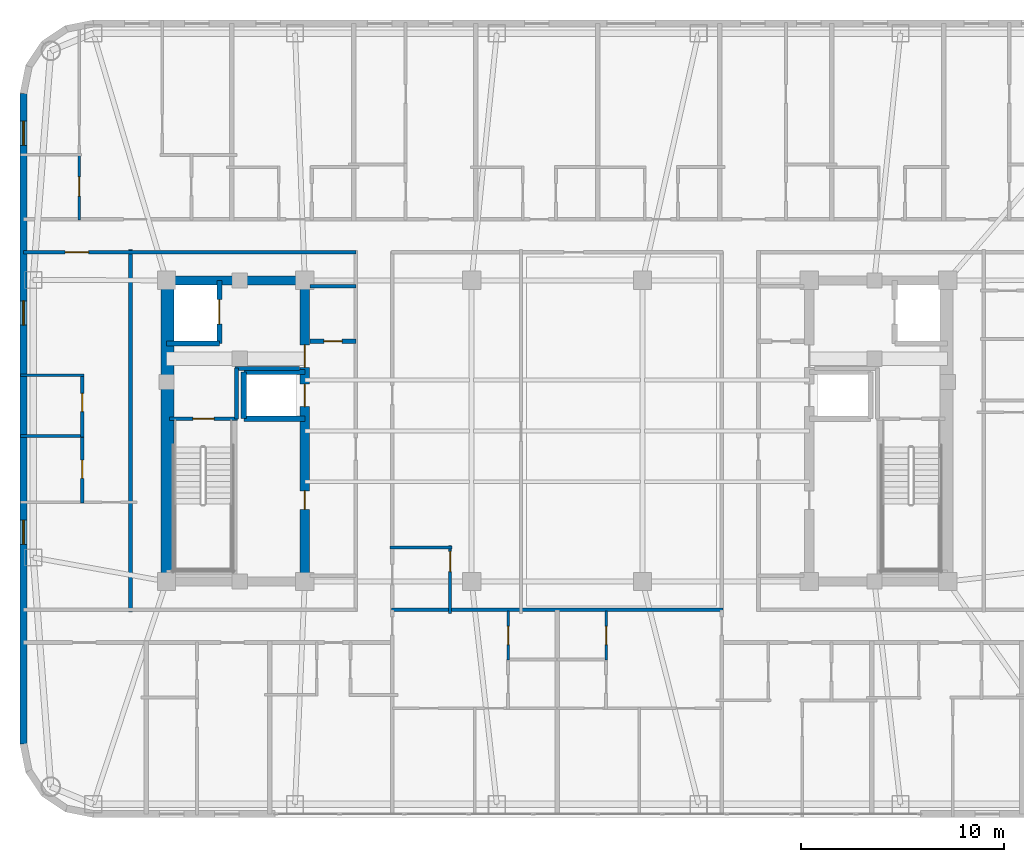
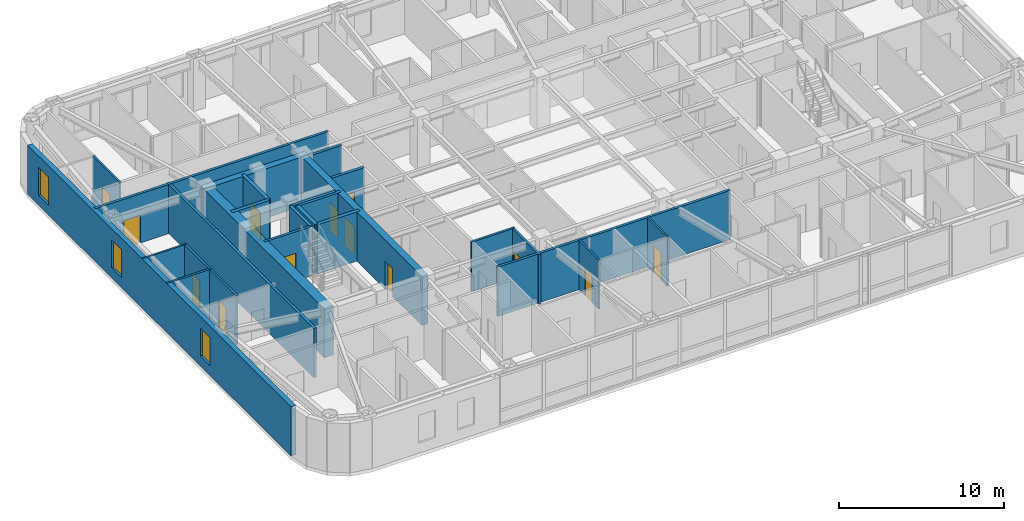
# One storey, part 9 of 16: 26 walls, 13 doors, 3 windows, 16 openings.
"""IFC4 building model written with IfcOpenShell, lengths in metres."""

from ifc_helpers import new_model, si_unit, direction, frame, frame_2d, origin, place, context, subcontext, project, spatial, rectangle, extrude, material, layer, layer_set, type_object, element, fill, save


model = new_model("IFC4")

# Units and contexts
model_context = context("Model", 3, precision=1e-05, world=origin(), true_north=direction((0.0, 1.0)))
body_context = subcontext(model_context, "Body", "Model", "MODEL_VIEW")
ifc_project = project(units=[si_unit("LENGTHUNIT", "METRE"), si_unit("AREAUNIT", "SQUARE_METRE"), si_unit("VOLUMEUNIT", "CUBIC_METRE"), si_unit("PLANEANGLEUNIT", "RADIAN"), si_unit("MASSUNIT", "GRAM", prefix="KILO")], contexts=[model_context])

# Site, building, storey
site_placement = place(None, origin())
site = spatial("IfcSite", under=ifc_project, at=site_placement, CompositionType="ELEMENT")
building_placement = place(site_placement, origin())
building = spatial("IfcBuilding", under=site, at=building_placement, Name="Voryun Gate Residences", CompositionType="ELEMENT")
storey_placement = place(building_placement, frame((0.0, 0.0, 208.0)))
storey = spatial("IfcBuildingStorey", under=building, at=storey_placement, Name="L51", CompositionType="ELEMENT", Elevation=208.0)

# Wall
ifc_material_1 = material(Name="Concrete C50/60", Category="concrete")
ifc_layer_1 = layer(ifc_material_1, 0.449951171875, Name="CW_CORE_450")
ifc_layer_set_1 = layer_set([ifc_layer_1], Name="Concrete C50/60")
wall_type_1 = type_object("IfcWallType", Name="CW_CORE_450", PredefinedType="SHEAR", material=ifc_layer_set_1)
wall_1_placement = place(storey_placement, frame((-19.425048828125, 7.39990234375, 0.0), z_axis=(0.0, 0.0, 1.0), x_axis=(1.0, 0.0, 0.0)))
element("IfcWall", 1, at=wall_1_placement, inside=storey, type_object=wall_type_1, Name="L51 Core shear wall CW-L51-WN", PredefinedType="SHEAR", context=body_context, shape_type="SweptSolid", body=[
    extrude(rectangle(XDim=7.25, YDim=0.449951171875, at=frame_2d((3.625, 0.0))), origin(), (0.0, 0.0, 1.0), 3.64990234375),
])

# Wall, openings, doors
wall_2_placement = place(storey_placement, frame((-12.39990234375, -7.39990234375, 0.0), z_axis=(0.0, 0.0, 1.0), x_axis=(0.0, 1.0, 0.0)))
wall_2 = element("IfcWall", 2, at=wall_2_placement, inside=storey, type_object=wall_type_1, Name="L51 Core shear wall CW-L51-WE", PredefinedType="SHEAR", context=body_context, shape_type="SweptSolid", body=[
    extrude(rectangle(XDim=14.7998046875, YDim=0.449951171875, at=frame_2d((7.39990234375, 0.0))), origin(), (0.0, 0.0, 1.0), 3.64990234375),
])
opening_1_placement = place(wall_2_placement, frame((8.60009765625, 0.0, 0.0)))
opening_1 = element("IfcOpeningElement", 3, at=opening_1_placement, cuts=wall_2, Name="Opening LD2", PredefinedType="OPENING", context=body_context, shape_type="SweptSolid", body=[
    extrude(rectangle(XDim=1.10009765625, YDim=2.050048828125, at=frame_2d((0.550048828125, 1.02490234375))), frame((0.0, 0.235107421875, 0.0), z_axis=(0.0, -1.0, 0.0), x_axis=(1.0, 0.0, 0.0)), (0.0, 0.0, 1.0), 0.469970703125),
])
opening_2_placement = place(wall_2_placement, frame((10.530029296875, 0.0, 0.0)))
opening_2 = element("IfcOpeningElement", 4, at=opening_2_placement, cuts=wall_2, Name="Opening D-FD60-2", PredefinedType="OPENING", context=body_context, shape_type="SweptSolid", body=[
    extrude(rectangle(XDim=1.10009765625, YDim=2.050048828125, at=frame_2d((0.550048828125, 1.02490234375))), frame((0.0, 0.235107421875, 0.0), z_axis=(0.0, -1.0, 0.0), x_axis=(1.0, 0.0, 0.0)), (0.0, 0.0, 1.0), 0.469970703125),
])
opening_3_placement = place(wall_2_placement, frame((3.550048828125, 0.0, 0.0)))
opening_3 = element("IfcOpeningElement", 5, at=opening_3_placement, cuts=wall_2, Name="Opening D-FD60-4", PredefinedType="OPENING", context=body_context, shape_type="SweptSolid", body=[
    extrude(rectangle(XDim=0.89990234375, YDim=2.050048828125, at=frame_2d((0.449951171875, 1.02490234375))), frame((0.0, 0.235107421875, 0.0), z_axis=(0.0, -1.0, 0.0), x_axis=(1.0, 0.0, 0.0)), (0.0, 0.0, 1.0), 0.469970703125),
])
ifc_material_2 = material(Name="Painted steel fire door", Category="steel")
door_type_1 = type_object("IfcDoorType", Name="DR_FD60_FFLOB_1100", OperationType="NOTDEFINED", PredefinedType="DOOR", material=ifc_material_2)
door_1_placement = place(opening_2_placement, origin())
door_1 = element("IfcDoor", 6, at=door_1_placement, inside=storey, type_object=door_type_1, Name="Door DR-L51-CLOB-W", OperationType="SINGLE_SWING_LEFT", OverallHeight=2.050048828125, OverallWidth=1.10009765625, PredefinedType="DOOR", context=body_context, shape_type="SweptSolid", body=[
    extrude(rectangle(XDim=1.10009765625, YDim=2.050048828125, at=frame_2d((0.550048828125, 1.02490234375))), frame((0.0, 0.02490234375, 0.0), z_axis=(0.0, -1.0, 0.0), x_axis=(1.0, 0.0, 0.0)), (0.0, 0.0, 1.0), 0.050048828125),
])
fill(opening_2, door_1)
ifc_material_3 = material(Name="Painted steel fire door", Category="steel")
door_type_2 = type_object("IfcDoorType", Name="DR_FD60_RISER_900", OperationType="NOTDEFINED", PredefinedType="DOOR", material=ifc_material_3)
door_2_placement = place(opening_3_placement, origin())
door_2 = element("IfcDoor", 7, at=door_2_placement, inside=storey, type_object=door_type_2, Name="Door DR-L51-RECW-HI", OperationType="SINGLE_SWING_LEFT", OverallHeight=2.050048828125, OverallWidth=0.89990234375, PredefinedType="DOOR", context=body_context, shape_type="SweptSolid", body=[
    extrude(rectangle(XDim=0.89990234375, YDim=2.050048828125, at=frame_2d((0.449951171875, 1.02490234375))), frame((0.0, 0.02490234375, 0.0), z_axis=(0.0, -1.0, 0.0), x_axis=(1.0, 0.0, 0.0)), (0.0, 0.0, 1.0), 0.050048828125),
])
fill(opening_3, door_2)
ifc_material_4 = material(Name="Anodised aluminium", Category="aluminium")
door_type_3 = type_object("IfcDoorType", Name="DR_LD_PASS_1100", OperationType="NOTDEFINED", PredefinedType="DOOR", material=ifc_material_4)
door_3_placement = place(opening_1_placement, origin())
door_3 = element("IfcDoor", 8, at=door_3_placement, inside=storey, type_object=door_type_3, Name="Lift EL-P7 sliding landing door L51", OperationType="SLIDING_TO_LEFT", OverallHeight=2.050048828125, OverallWidth=1.10009765625, PredefinedType="DOOR", context=body_context, shape_type="SweptSolid", body=[
    extrude(rectangle(XDim=1.10009765625, YDim=2.050048828125, at=frame_2d((0.550048828125, 1.02490234375))), frame((0.0, 0.02490234375, 0.0), z_axis=(0.0, -1.0, 0.0), x_axis=(1.0, 0.0, 0.0)), (0.0, 0.0, 1.0), 0.050048828125),
])
fill(opening_1, door_3)

# Wall
ifc_material_5 = material(Name="Concrete C60/75", Category="concrete")
ifc_layer_2 = layer(ifc_material_5, 0.64990234375, Name="CW_CORE_650")
ifc_layer_set_2 = layer_set([ifc_layer_2], Name="Concrete C60/75")
wall_type_2 = type_object("IfcWallType", Name="CW_CORE_650", PredefinedType="SHEAR", material=ifc_layer_set_2)
wall_3_placement = place(storey_placement, frame((-19.14501953125, -7.39990234375, 0.0), z_axis=(0.0, 0.0, 1.0), x_axis=(0.0, 1.0, 0.0)))
element("IfcWall", 9, at=wall_3_placement, inside=storey, type_object=wall_type_2, Name="L51 Core shear wall CW-L51-WW", PredefinedType="SHEAR", context=body_context, shape_type="SweptSolid", body=[
    extrude(rectangle(XDim=14.7998046875, YDim=0.64990234375, at=frame_2d((7.39990234375, 0.0))), origin(), (0.0, 0.0, 1.0), 3.64990234375),
])

# Wall, opening, door
ifc_material_6 = material(Name="Gypsum acoustic fireboard")
ifc_layer_3 = layer(ifc_material_6, 0.179931640625, Name="W_CORR_RATED_180")
ifc_layer_set_3 = layer_set([ifc_layer_3], Name="Gypsum acoustic fireboard")
wall_type_3 = type_object("IfcWallType", Name="W_CORR_RATED_180", PredefinedType="PARTITIONING", material=ifc_layer_set_3)
wall_4_placement = place(storey_placement, frame((-19.06005859375, 0.60009765625, 0.0), z_axis=(0.0, 0.0, 1.0), x_axis=(1.0, 0.0, 0.0)))
wall_4 = element("IfcWall", 10, at=wall_4_placement, inside=storey, type_object=wall_type_3, Name="Partition wall WP-L51-STV-W", PredefinedType="PARTITIONING", context=body_context, shape_type="SweptSolid", body=[
    extrude(rectangle(XDim=3.360107421875, YDim=0.179931640625, at=frame_2d((1.68017578125, 0.0))), origin(), (0.0, 0.0, 1.0), 3.64990234375),
])
opening_4_placement = place(wall_4_placement, frame((1.155029296875, 0.0, 0.0)))
opening_4 = element("IfcOpeningElement", 11, at=opening_4_placement, cuts=wall_4, Name="Opening D-FD60-1", PredefinedType="OPENING", context=body_context, shape_type="SweptSolid", body=[
    extrude(rectangle(XDim=1.050048828125, YDim=2.050048828125, at=frame_2d((0.52490234375, 1.02490234375))), frame((0.0, 0.099853515625, 0.0), z_axis=(0.0, -1.0, 0.0), x_axis=(1.0, 0.0, 0.0)), (0.0, 0.0, 1.0), 0.199951171875),
])
ifc_material_7 = material(Name="Painted steel fire door", Category="steel")
door_type_4 = type_object("IfcDoorType", Name="DR_FD60_STAIR_1050", OperationType="NOTDEFINED", PredefinedType="DOOR", material=ifc_material_7)
door_4_placement = place(opening_4_placement, origin())
door_4 = element("IfcDoor", 12, at=door_4_placement, inside=storey, type_object=door_type_4, Name="Door DR-L51-ST-W", OperationType="SINGLE_SWING_LEFT", OverallHeight=2.050048828125, OverallWidth=1.050048828125, PredefinedType="DOOR", context=body_context, shape_type="SweptSolid", body=[
    extrude(rectangle(XDim=1.050048828125, YDim=2.050048828125, at=frame_2d((0.52490234375, 1.02490234375))), frame((0.0, 0.02490234375, 0.0), z_axis=(0.0, -1.0, 0.0), x_axis=(1.0, 0.0, 0.0)), (0.0, 0.0, 1.0), 0.050048828125),
])
fill(opening_4, door_4)

# Wall
wall_5_placement = place(storey_placement, frame((-12.14990234375, 7.1201171875, 0.0), z_axis=(0.0, 0.0, 1.0), x_axis=(1.0, 0.0, 0.0)))
element("IfcWall", 13, at=wall_5_placement, inside=storey, type_object=wall_type_3, Name="Partition wall WP-L51-PLBN-W", PredefinedType="PARTITIONING", context=body_context, shape_type="SweptSolid", body=[
    extrude(rectangle(XDim=2.27001953125, YDim=0.179931640625, at=frame_2d((1.135009765625, 0.0))), origin(), (0.0, 0.0, 1.0), 3.64990234375),
])

# Wall, opening, door
wall_6_placement = place(storey_placement, frame((-26.22998046875, 8.7900390625, 0.0), z_axis=(0.0, 0.0, 1.0), x_axis=(1.0, 0.0, 0.0)))
wall_6 = element("IfcWall", 14, at=wall_6_placement, inside=storey, type_object=wall_type_3, Name="Partition wall WP-L51-CWING-WN", PredefinedType="PARTITIONING", context=body_context, shape_type="SweptSolid", body=[
    extrude(rectangle(XDim=16.35009765625, YDim=0.179931640625, at=frame_2d((8.175048828125, 0.0))), origin(), (0.0, 0.0, 1.0), 3.64990234375),
])
opening_5_placement = place(wall_6_placement, frame((2.05078125, 0.0, 0.0)))
opening_5 = element("IfcOpeningElement", 15, at=opening_5_placement, cuts=wall_6, Name="Opening D-UNIT-1", PredefinedType="OPENING", context=body_context, shape_type="SweptSolid", body=[
    extrude(rectangle(XDim=1.14990234375, YDim=2.050048828125, at=frame_2d((0.574951171875, 1.02490234375))), frame((0.0, 0.099853515625, 0.0), z_axis=(0.0, -1.0, 0.0), x_axis=(1.0, 0.0, 0.0)), (0.0, 0.0, 1.0), 0.199951171875),
])
ifc_material_8 = material(Name="Armoured timber-clad fire door", Category="wood")
door_type_5 = type_object("IfcDoorType", Name="DR_UNIT_ENTRY_1150", OperationType="NOTDEFINED", PredefinedType="DOOR", material=ifc_material_8)
door_5_placement = place(opening_5_placement, origin())
door_5 = element("IfcDoor", 16, at=door_5_placement, inside=storey, type_object=door_type_5, Name="Door DR-L51-WE1N", OperationType="SINGLE_SWING_LEFT", OverallHeight=2.050048828125, OverallWidth=1.14990234375, PredefinedType="DOOR", context=body_context, shape_type="SweptSolid", body=[
    extrude(rectangle(XDim=1.14990234375, YDim=2.050048828125, at=frame_2d((0.574951171875, 1.02490234375))), frame((0.0, 0.02490234375, 0.0), z_axis=(0.0, -1.0, 0.0), x_axis=(1.0, 0.0, 0.0)), (0.0, 0.0, 1.0), 0.050048828125),
])
fill(opening_5, door_5)

# Walls
wall_7_placement = place(storey_placement, frame((-8.14990234375, -8.7900390625, 0.0), z_axis=(0.0, 0.0, 1.0), x_axis=(1.0, 0.0, 0.0)))
element("IfcWall", 17, at=wall_7_placement, inside=storey, type_object=wall_type_3, Name="Partition wall WP-L51-Z3S", PredefinedType="PARTITIONING", context=body_context, shape_type="SweptSolid", body=[
    extrude(rectangle(XDim=16.2998046875, YDim=0.179931640625, at=frame_2d((8.14990234375, 0.0))), origin(), (0.0, 0.0, 1.0), 3.64990234375),
])
wall_8_placement = place(storey_placement, frame((-20.969970703125, -8.909912109375, 0.0), z_axis=(0.0, 0.0, 1.0), x_axis=(0.0, 1.0, 0.0)))
element("IfcWall", 18, at=wall_8_placement, inside=storey, type_object=wall_type_3, Name="Partition wall WP-L51-WCOR", PredefinedType="PARTITIONING", context=body_context, shape_type="SweptSolid", body=[
    extrude(rectangle(XDim=17.81982421875, YDim=0.179931640625, at=frame_2d((8.909912109375, 0.0))), origin(), (0.0, 0.0, 1.0), 3.64990234375),
])

# Wall, openings, windows
ifc_material_9 = material(Name="Charcoal terracotta masonry", Category="masonry")
ifc_layer_4 = layer(ifc_material_9, 0.340087890625, Name="W_EXT_TERRACOTTA_340")
ifc_layer_set_4 = layer_set([ifc_layer_4], Name="Charcoal terracotta masonry")
wall_type_4 = type_object("IfcWallType", Name="W_EXT_TERRACOTTA_340", PredefinedType="ELEMENTEDWALL", material=ifc_layer_set_4)
wall_9_placement = place(storey_placement, frame((-26.22998046875, -15.38330078125, 0.0), z_axis=(0.0, 0.0, 1.0), x_axis=(0.0, 1.0, 0.0)))
wall_9 = element("IfcWall", 19, at=wall_9_placement, inside=storey, type_object=wall_type_4, Name="Exterior wall WEXT-L51-06", PredefinedType="ELEMENTEDWALL", context=body_context, shape_type="SweptSolid", body=[
    extrude(rectangle(XDim=31.966552734375, YDim=0.340087890625, at=frame_2d((15.9833984375, 0.0))), origin(), (0.0, 0.0, 1.0), 3.64990234375),
])
opening_6_placement = place(wall_9_placement, frame((29.414794921875, 0.0, 0.75)))
opening_6 = element("IfcOpeningElement", 20, at=opening_6_placement, cuts=wall_9, Name="Opening WN6", PredefinedType="OPENING", context=body_context, shape_type="SweptSolid", body=[
    extrude(rectangle(XDim=1.199951171875, YDim=2.050048828125, at=frame_2d((0.60009765625, 1.02490234375))), frame((0.0, 0.179931640625, 0.0), z_axis=(0.0, -1.0, 0.0), x_axis=(1.0, 0.0, 0.0)), (0.0, 0.0, 1.0), 0.360107421875),
])
opening_7_placement = place(wall_9_placement, frame((20.578369140625, 0.0, 0.75)))
opening_7 = element("IfcOpeningElement", 21, at=opening_7_placement, cuts=wall_9, Name="Opening WN6", PredefinedType="OPENING", context=body_context, shape_type="SweptSolid", body=[
    extrude(rectangle(XDim=1.199951171875, YDim=2.050048828125, at=frame_2d((0.60009765625, 1.02490234375))), frame((0.0, 0.179931640625, 0.0), z_axis=(0.0, -1.0, 0.0), x_axis=(1.0, 0.0, 0.0)), (0.0, 0.0, 1.0), 0.360107421875),
])
opening_8_placement = place(wall_9_placement, frame((9.80322265625, 0.0, 0.75)))
opening_8 = element("IfcOpeningElement", 22, at=opening_8_placement, cuts=wall_9, Name="Opening WN6", PredefinedType="OPENING", context=body_context, shape_type="SweptSolid", body=[
    extrude(rectangle(XDim=1.199951171875, YDim=2.050048828125, at=frame_2d((0.60009765625, 1.02490234375))), frame((0.0, 0.179931640625, 0.0), z_axis=(0.0, -1.0, 0.0), x_axis=(1.0, 0.0, 0.0)), (0.0, 0.0, 1.0), 0.360107421875),
])
ifc_material_10 = material(Name="Laminated low-E glass", Category="glass")
window_type = type_object("IfcWindowType", Name="WN_POD_SLOT_1200", PartitioningType="SINGLE_PANEL", PredefinedType="WINDOW", material=ifc_material_10)
window_1_placement = place(opening_6_placement, origin())
window_1 = element("IfcWindow", 23, at=window_1_placement, inside=storey, type_object=window_type, Name="Window WN-L51-DWFIX-02", OverallHeight=2.050048828125, OverallWidth=1.199951171875, PartitioningType="SINGLE_PANEL", PredefinedType="WINDOW", context=body_context, shape_type="SweptSolid", body=[
    extrude(rectangle(XDim=1.199951171875, YDim=2.050048828125, at=frame_2d((0.60009765625, 1.02490234375))), frame((0.0, 0.030029296875, 0.0), z_axis=(0.0, -1.0, 0.0), x_axis=(1.0, 0.0, 0.0)), (0.0, 0.0, 1.0), 0.06005859375),
])
fill(opening_6, window_1)
window_2_placement = place(opening_7_placement, origin())
window_2 = element("IfcWindow", 24, at=window_2_placement, inside=storey, type_object=window_type, Name="Window WN-L51-DWFIX-19", OverallHeight=2.050048828125, OverallWidth=1.199951171875, PartitioningType="SINGLE_PANEL", PredefinedType="WINDOW", context=body_context, shape_type="SweptSolid", body=[
    extrude(rectangle(XDim=1.199951171875, YDim=2.050048828125, at=frame_2d((0.60009765625, 1.02490234375))), frame((0.0, 0.030029296875, 0.0), z_axis=(0.0, -1.0, 0.0), x_axis=(1.0, 0.0, 0.0)), (0.0, 0.0, 1.0), 0.06005859375),
])
fill(opening_7, window_2)
window_3_placement = place(opening_8_placement, origin())
window_3 = element("IfcWindow", 25, at=window_3_placement, inside=storey, type_object=window_type, Name="Window WN-L51-DWFIX-20", OverallHeight=2.050048828125, OverallWidth=1.199951171875, PartitioningType="SINGLE_PANEL", PredefinedType="WINDOW", context=body_context, shape_type="SweptSolid", body=[
    extrude(rectangle(XDim=1.199951171875, YDim=2.050048828125, at=frame_2d((0.60009765625, 1.02490234375))), frame((0.0, 0.030029296875, 0.0), z_axis=(0.0, -1.0, 0.0), x_axis=(1.0, 0.0, 0.0)), (0.0, 0.0, 1.0), 0.06005859375),
])
fill(opening_8, window_3)

# Walls
ifc_material_11 = material(Name="Concrete C40/50", Category="concrete")
ifc_layer_5 = layer(ifc_material_11, 0.199951171875, Name="W_FF_LOBBY_200")
ifc_layer_set_5 = layer_set([ifc_layer_5], Name="Concrete C40/50")
wall_type_5 = type_object("IfcWallType", Name="W_FF_LOBBY_200", PredefinedType="PARTITIONING", material=ifc_layer_set_5)
wall_10_placement = place(storey_placement, frame((-15.760009765625, 0.580078125, 0.0), z_axis=(0.0, 0.0, 1.0), x_axis=(0.0, 1.0, 0.0)))
element("IfcWall", 26, at=wall_10_placement, inside=storey, type_object=wall_type_5, Name="Partition wall WP-L51-FFP0-W", PredefinedType="PARTITIONING", context=body_context, shape_type="SweptSolid", body=[
    extrude(rectangle(XDim=2.52001953125, YDim=0.199951171875, at=frame_2d((1.260009765625, 0.0))), origin(), (0.0, 0.0, 1.0), 3.64990234375),
])
wall_11_placement = place(storey_placement, frame((-15.820068359375, 3.06005859375, 0.0), z_axis=(0.0, 0.0, 1.0), x_axis=(1.0, 0.0, 0.0)))
element("IfcWall", 27, at=wall_11_placement, inside=storey, type_object=wall_type_5, Name="Partition wall WP-L51-FFPS-W", PredefinedType="PARTITIONING", context=body_context, shape_type="SweptSolid", body=[
    extrude(rectangle(XDim=3.16015625, YDim=0.199951171875, at=frame_2d((1.580078125, 0.0))), origin(), (0.0, 0.0, 1.0), 3.64990234375),
])

# Wall, opening, door
wall_12_placement = place(storey_placement, frame((-12.14990234375, 4.409912109375, 0.0), z_axis=(0.0, 0.0, 1.0), x_axis=(1.0, 0.0, 0.0)))
wall_12 = element("IfcWall", 28, at=wall_12_placement, inside=storey, type_object=wall_type_5, Name="Partition wall WP-L51-CSFLKS-W", PredefinedType="PARTITIONING", context=body_context, shape_type="SweptSolid", body=[
    extrude(rectangle(XDim=2.27001953125, YDim=0.199951171875, at=frame_2d((1.135009765625, 0.0))), origin(), (0.0, 0.0, 1.0), 3.64990234375),
])
opening_9_placement = place(wall_12_placement, frame((0.68505859375, 0.0, 0.0)))
opening_9 = element("IfcOpeningElement", 29, at=opening_9_placement, cuts=wall_12, Name="Opening D-FD60-4", PredefinedType="OPENING", context=body_context, shape_type="SweptSolid", body=[
    extrude(rectangle(XDim=0.89990234375, YDim=2.050048828125, at=frame_2d((0.449951171875, 1.02490234375))), frame((0.0, 0.110107421875, 0.0), z_axis=(0.0, -1.0, 0.0), x_axis=(1.0, 0.0, 0.0)), (0.0, 0.0, 1.0), 0.219970703125),
])
door_6_placement = place(opening_9_placement, origin())
door_6 = element("IfcDoor", 30, at=door_6_placement, inside=storey, type_object=door_type_2, Name="Door DR-L51-CSFLK-W", OperationType="SINGLE_SWING_LEFT", OverallHeight=2.050048828125, OverallWidth=0.89990234375, PredefinedType="DOOR", context=body_context, shape_type="SweptSolid", body=[
    extrude(rectangle(XDim=0.89990234375, YDim=2.050048828125, at=frame_2d((0.449951171875, 1.02490234375))), frame((0.0, 0.02490234375, 0.0), z_axis=(0.0, -1.0, 0.0), x_axis=(1.0, 0.0, 0.0)), (0.0, 0.0, 1.0), 0.050048828125),
])
fill(opening_9, door_6)

# Wall
ifc_material_12 = material(Name="Concrete C50/60", Category="concrete")
ifc_layer_6 = layer(ifc_material_12, 0.25, Name="W_SHAFT_RC250")
ifc_layer_set_6 = layer_set([ifc_layer_6], Name="Concrete C50/60")
wall_type_6 = type_object("IfcWallType", Name="W_SHAFT_RC250", PredefinedType="SOLIDWALL", material=ifc_layer_set_6)
wall_13_placement = place(storey_placement, frame((-19.199951171875, 4.300048828125, 0.0), z_axis=(0.0, 0.0, 1.0), x_axis=(1.0, 0.0, 0.0)))
element("IfcWall", 31, at=wall_13_placement, inside=storey, type_object=wall_type_6, Name="Lift shaft wall WSH-L51-EL-FF-W1-S", PredefinedType="SOLIDWALL", context=body_context, shape_type="SweptSolid", body=[
    extrude(rectangle(XDim=2.599853515625, YDim=0.25, at=frame_2d((1.2998046875, 0.0))), origin(), (0.0, 0.0, 1.0), 3.64990234375),
])

# Wall, opening, door
wall_14_placement = place(storey_placement, frame((-16.60009765625, 4.300048828125, 0.0), z_axis=(0.0, 0.0, 1.0), x_axis=(0.0, 1.0, 0.0)))
wall_14 = element("IfcWall", 32, at=wall_14_placement, inside=storey, type_object=wall_type_6, Name="Lift shaft wall WSH-L51-EL-FF-W1-E", PredefinedType="SOLIDWALL", context=body_context, shape_type="SweptSolid", body=[
    extrude(rectangle(XDim=3.099853515625, YDim=0.25, at=frame_2d((1.5498046875, 0.0))), origin(), (0.0, 0.0, 1.0), 3.64990234375),
])
opening_10_placement = place(wall_14_placement, frame((0.949951171875, 0.0, 0.0)))
opening_10 = element("IfcOpeningElement", 33, at=opening_10_placement, cuts=wall_14, Name="Opening LD1", PredefinedType="OPENING", context=body_context, shape_type="SweptSolid", body=[
    extrude(rectangle(XDim=1.199951171875, YDim=2.050048828125, at=frame_2d((0.60009765625, 1.02490234375))), frame((0.0, 0.135009765625, 0.0), z_axis=(0.0, -1.0, 0.0), x_axis=(1.0, 0.0, 0.0)), (0.0, 0.0, 1.0), 0.27001953125),
])
ifc_material_13 = material(Name="Anodised aluminium", Category="aluminium")
door_type_6 = type_object("IfcDoorType", Name="DR_LD_FF_1200", OperationType="NOTDEFINED", PredefinedType="DOOR", material=ifc_material_13)
door_7_placement = place(opening_10_placement, origin())
door_7 = element("IfcDoor", 34, at=door_7_placement, inside=storey, type_object=door_type_6, Name="Lift EL-FF-W1 sliding landing door L51", OperationType="SLIDING_TO_LEFT", OverallHeight=2.050048828125, OverallWidth=1.199951171875, PredefinedType="DOOR", context=body_context, shape_type="SweptSolid", body=[
    extrude(rectangle(XDim=1.199951171875, YDim=2.050048828125, at=frame_2d((0.60009765625, 1.02490234375))), frame((0.0, 0.02490234375, 0.0), z_axis=(0.0, -1.0, 0.0), x_axis=(1.0, 0.0, 0.0)), (0.0, 0.0, 1.0), 0.050048828125),
])
fill(opening_10, door_7)

# Walls
for number, where, z_axis, x_axis, name in (
    (35, (-15.39990234375, 0.60009765625, 0.0), (0.0, 0.0, 1.0), (1.0, 0.0, 0.0), "Lift shaft wall WSH-L51-EL-P7-S"),
    (36, (-12.39990234375, 2.89990234375, 0.0), (0.0, 0.0, 1.0), (-1.0, 0.0, 0.0), "Lift shaft wall WSH-L51-EL-P7-N"),
):
    element("IfcWall", number, at=place(storey_placement, frame(where, z_axis=z_axis, x_axis=x_axis)), inside=storey, type_object=wall_type_6, Name=name, PredefinedType="SOLIDWALL", context=body_context, shape_type="SweptSolid", body=[
        extrude(rectangle(XDim=3.0, YDim=0.25, at=frame_2d((1.5, 0.0))), origin(), (0.0, 0.0, 1.0), 3.64990234375),
    ])
wall_15_placement = place(storey_placement, frame((-15.39990234375, 2.89990234375, 0.0), z_axis=(0.0, 0.0, 1.0), x_axis=(0.0, -1.0, 0.0)))
element("IfcWall", 37, at=wall_15_placement, inside=storey, type_object=wall_type_6, Name="Lift shaft wall WSH-L51-EL-P7-W", PredefinedType="SOLIDWALL", context=body_context, shape_type="SweptSolid", body=[
    extrude(rectangle(XDim=2.2998046875, YDim=0.25, at=frame_2d((1.14990234375, 0.0))), origin(), (0.0, 0.0, 1.0), 3.64990234375),
])

# Wall, opening, door
ifc_material_14 = material(Name="Gypsum acoustic partition")
ifc_layer_7 = layer(ifc_material_14, 0.125, Name="W_UNIT_PART_125")
ifc_layer_set_7 = layer_set([ifc_layer_7], Name="Gypsum acoustic partition")
wall_type_7 = type_object("IfcWallType", Name="W_UNIT_PART_125", PredefinedType="PARTITIONING", material=ifc_layer_set_7)
wall_16_placement = place(storey_placement, frame((-23.489013671875, 10.3798828125, 0.0), z_axis=(0.0, 0.0, 1.0), x_axis=(0.0, 1.0, 0.0)))
wall_16 = element("IfcWall", 38, at=wall_16_placement, inside=storey, type_object=wall_type_7, Name="Partition wall WP-L51-N1-IVK", PredefinedType="PARTITIONING", context=body_context, shape_type="SweptSolid", body=[
    extrude(rectangle(XDim=3.252685546875, YDim=0.125, at=frame_2d((1.62646484375, 0.0))), origin(), (0.0, 0.0, 1.0), 3.64990234375),
])
opening_11_placement = place(wall_16_placement, frame((1.159912109375, 0.0, 0.0)))
opening_11 = element("IfcOpeningElement", 39, at=opening_11_placement, cuts=wall_16, Name="Opening D-INT-1", PredefinedType="OPENING", context=body_context, shape_type="SweptSolid", body=[
    extrude(rectangle(XDim=0.949951171875, YDim=2.050048828125, at=frame_2d((0.47509765625, 1.02490234375))), frame((0.0, 0.072509765625, 0.0), z_axis=(0.0, -1.0, 0.0), x_axis=(1.0, 0.0, 0.0)), (0.0, 0.0, 1.0), 0.14501953125),
])
ifc_material_15 = material(Name="Architectural oak veneer")
door_type_7 = type_object("IfcDoorType", Name="DR_INT_ROOM_950", OperationType="NOTDEFINED", PredefinedType="DOOR", material=ifc_material_15)
door_8_placement = place(opening_11_placement, origin())
door_8 = element("IfcDoor", 40, at=door_8_placement, inside=storey, type_object=door_type_7, Name="Door DR-L51-N1-DK", OperationType="SINGLE_SWING_LEFT", OverallHeight=2.050048828125, OverallWidth=0.949951171875, PredefinedType="DOOR", context=body_context, shape_type="SweptSolid", body=[
    extrude(rectangle(XDim=0.949951171875, YDim=2.050048828125, at=frame_2d((0.47509765625, 1.02490234375))), frame((0.0, 0.02490234375, 0.0), z_axis=(0.0, -1.0, 0.0), x_axis=(1.0, 0.0, 0.0)), (0.0, 0.0, 1.0), 0.050048828125),
])
fill(opening_11, door_8)

wall_17_placement = place(storey_placement, frame((-2.409912109375, -11.260009765625, 0.0), z_axis=(0.0, 0.0, 1.0), x_axis=(0.0, 1.0, 0.0)))
wall_17 = element("IfcWall", 41, at=wall_17_placement, inside=storey, type_object=wall_type_7, Name="Partition wall WP-L51-SC1-VK1", PredefinedType="PARTITIONING", context=body_context, shape_type="SweptSolid", body=[
    extrude(rectangle(XDim=2.409912109375, YDim=0.125, at=frame_2d((1.205078125, 0.0))), origin(), (0.0, 0.0, 1.0), 3.64990234375),
])
opening_12_placement = place(wall_17_placement, frame((0.7548828125, 0.0, 0.0)))
opening_12 = element("IfcOpeningElement", 42, at=opening_12_placement, cuts=wall_17, Name="Opening D-INT-2", PredefinedType="OPENING", context=body_context, shape_type="SweptSolid", body=[
    extrude(rectangle(XDim=0.89990234375, YDim=2.050048828125, at=frame_2d((0.449951171875, 1.02490234375))), frame((0.0, 0.072509765625, 0.0), z_axis=(0.0, -1.0, 0.0), x_axis=(1.0, 0.0, 0.0)), (0.0, 0.0, 1.0), 0.14501953125),
])
ifc_material_16 = material(Name="Architectural oak veneer")
door_type_8 = type_object("IfcDoorType", Name="DR_INT_BATH_900", OperationType="NOTDEFINED", PredefinedType="DOOR", material=ifc_material_16)
door_9_placement = place(opening_12_placement, origin())
door_9 = element("IfcDoor", 43, at=door_9_placement, inside=storey, type_object=door_type_8, Name="Door DR-L51-SC1-DK", OperationType="SINGLE_SWING_LEFT", OverallHeight=2.050048828125, OverallWidth=0.89990234375, PredefinedType="DOOR", context=body_context, shape_type="SweptSolid", body=[
    extrude(rectangle(XDim=0.89990234375, YDim=2.050048828125, at=frame_2d((0.449951171875, 1.02490234375))), frame((0.0, 0.02490234375, 0.0), z_axis=(0.0, -1.0, 0.0), x_axis=(1.0, 0.0, 0.0)), (0.0, 0.0, 1.0), 0.050048828125),
])
fill(opening_12, door_9)

wall_18_placement = place(storey_placement, frame((2.409912109375, -11.260009765625, 0.0), z_axis=(0.0, 0.0, 1.0), x_axis=(0.0, 1.0, 0.0)))
wall_18 = element("IfcWall", 44, at=wall_18_placement, inside=storey, type_object=wall_type_7, Name="Partition wall WP-L51-SC2-VK1", PredefinedType="PARTITIONING", context=body_context, shape_type="SweptSolid", body=[
    extrude(rectangle(XDim=2.409912109375, YDim=0.125, at=frame_2d((1.205078125, 0.0))), origin(), (0.0, 0.0, 1.0), 3.64990234375),
])
opening_13_placement = place(wall_18_placement, frame((0.7548828125, 0.0, 0.0)))
opening_13 = element("IfcOpeningElement", 45, at=opening_13_placement, cuts=wall_18, Name="Opening D-INT-2", PredefinedType="OPENING", context=body_context, shape_type="SweptSolid", body=[
    extrude(rectangle(XDim=0.89990234375, YDim=2.050048828125, at=frame_2d((0.449951171875, 1.02490234375))), frame((0.0, 0.072509765625, 0.0), z_axis=(0.0, -1.0, 0.0), x_axis=(1.0, 0.0, 0.0)), (0.0, 0.0, 1.0), 0.14501953125),
])
door_10_placement = place(opening_13_placement, origin())
door_10 = element("IfcDoor", 46, at=door_10_placement, inside=storey, type_object=door_type_8, Name="Door DR-L51-SC2-DK", OperationType="SINGLE_SWING_LEFT", OverallHeight=2.050048828125, OverallWidth=0.89990234375, PredefinedType="DOOR", context=body_context, shape_type="SweptSolid", body=[
    extrude(rectangle(XDim=0.89990234375, YDim=2.050048828125, at=frame_2d((0.449951171875, 1.02490234375))), frame((0.0, 0.02490234375, 0.0), z_axis=(0.0, -1.0, 0.0), x_axis=(1.0, 0.0, 0.0)), (0.0, 0.0, 1.0), 0.050048828125),
])
fill(opening_13, door_10)

# Wall
wall_19_placement = place(storey_placement, frame((-26.3798828125, 2.739990234375, 0.0), z_axis=(0.0, 0.0, 1.0), x_axis=(1.0, 0.0, 0.0)))
element("IfcWall", 47, at=wall_19_placement, inside=storey, type_object=wall_type_7, Name="Partition wall WP-L51-W1-HZ1", PredefinedType="PARTITIONING", context=body_context, shape_type="SweptSolid", body=[
    extrude(rectangle(XDim=3.119873046875, YDim=0.125, at=frame_2d((1.56005859375, 0.0))), origin(), (0.0, 0.0, 1.0), 3.64990234375),
])

# Wall, opening, door
ifc_material_17 = material(Name="Gypsum moisture-resistant partition")
ifc_layer_8 = layer(ifc_material_17, 0.14990234375, Name="W_WET_PLUMB_150")
ifc_layer_set_8 = layer_set([ifc_layer_8], Name="Gypsum moisture-resistant partition")
wall_type_8 = type_object("IfcWallType", Name="W_WET_PLUMB_150", PredefinedType="PLUMBINGWALL", material=ifc_layer_set_8)
wall_20_placement = place(storey_placement, frame((-5.260009765625, -8.969970703125, 0.0), z_axis=(0.0, 0.0, 1.0), x_axis=(0.0, 1.0, 0.0)))
wall_20 = element("IfcWall", 48, at=wall_20_placement, inside=storey, type_object=wall_type_8, Name="Partition wall WP-L51-CMWCX", PredefinedType="PLUMBINGWALL", context=body_context, shape_type="SweptSolid", body=[
    extrude(rectangle(XDim=3.349853515625, YDim=0.14990234375, at=frame_2d((1.6748046875, 0.0))), origin(), (0.0, 0.0, 1.0), 3.64990234375),
])
opening_14_placement = place(wall_20_placement, frame((2.054931640625, 0.0, 0.0)))
opening_14 = element("IfcOpeningElement", 49, at=opening_14_placement, cuts=wall_20, Name="Opening D-AWC-1", PredefinedType="OPENING", context=body_context, shape_type="SweptSolid", body=[
    extrude(rectangle(XDim=1.0, YDim=2.050048828125, at=frame_2d((0.5, 1.02490234375))), frame((0.0, 0.0849609375, 0.0), z_axis=(0.0, -1.0, 0.0), x_axis=(1.0, 0.0, 0.0)), (0.0, 0.0, 1.0), 0.169921875),
])
ifc_material_18 = material(Name="Architectural oak veneer")
door_type_9 = type_object("IfcDoorType", Name="DR_ACC_WC_1000", OperationType="NOTDEFINED", PredefinedType="DOOR", material=ifc_material_18)
door_11_placement = place(opening_14_placement, origin())
door_11 = element("IfcDoor", 50, at=door_11_placement, inside=storey, type_object=door_type_9, Name="Door DR-L51-CMWC", OperationType="SINGLE_SWING_LEFT", OverallHeight=2.050048828125, OverallWidth=1.0, PredefinedType="DOOR", context=body_context, shape_type="SweptSolid", body=[
    extrude(rectangle(XDim=1.0, YDim=2.050048828125, at=frame_2d((0.5, 1.02490234375))), frame((0.0, 0.02490234375, 0.0), z_axis=(0.0, -1.0, 0.0), x_axis=(1.0, 0.0, 0.0)), (0.0, 0.0, 1.0), 0.050048828125),
])
fill(opening_14, door_11)

# Walls
wall_21_placement = place(storey_placement, frame((-8.2099609375, -5.719970703125, 0.0), z_axis=(0.0, 0.0, 1.0), x_axis=(1.0, 0.0, 0.0)))
element("IfcWall", 51, at=wall_21_placement, inside=storey, type_object=wall_type_8, Name="Partition wall WP-L51-CMWCY", PredefinedType="PLUMBINGWALL", context=body_context, shape_type="SweptSolid", body=[
    extrude(rectangle(XDim=3.050048828125, YDim=0.14990234375, at=frame_2d((1.52490234375, 0.0))), origin(), (0.0, 0.0, 1.0), 3.64990234375),
])
wall_22_placement = place(storey_placement, frame((-26.3798828125, -0.260009765625, 0.0), z_axis=(0.0, 0.0, 1.0), x_axis=(1.0, 0.0, 0.0)))
element("IfcWall", 52, at=wall_22_placement, inside=storey, type_object=wall_type_8, Name="Partition wall WP-L51-W1-HZ2", PredefinedType="PLUMBINGWALL", context=body_context, shape_type="SweptSolid", body=[
    extrude(rectangle(XDim=3.119873046875, YDim=0.14990234375, at=frame_2d((1.56005859375, 0.0))), origin(), (0.0, 0.0, 1.0), 3.64990234375),
])

# Wall, opening, door
wall_23_placement = place(storey_placement, frame((-23.340087890625, -3.550048828125, 0.0), z_axis=(0.0, 0.0, 1.0), x_axis=(0.0, 1.0, 0.0)))
wall_23 = element("IfcWall", 53, at=wall_23_placement, inside=storey, type_object=wall_type_8, Name="Partition wall WP-L51-W1-VKB1", PredefinedType="PLUMBINGWALL", context=body_context, shape_type="SweptSolid", body=[
    extrude(rectangle(XDim=3.330078125, YDim=0.14990234375, at=frame_2d((1.6650390625, 0.0))), origin(), (0.0, 0.0, 1.0), 3.64990234375),
])
opening_15_placement = place(wall_23_placement, frame((1.215087890625, 0.0, 0.0)))
opening_15 = element("IfcOpeningElement", 54, at=opening_15_placement, cuts=wall_23, Name="Opening D-INT-2", PredefinedType="OPENING", context=body_context, shape_type="SweptSolid", body=[
    extrude(rectangle(XDim=0.89990234375, YDim=2.050048828125, at=frame_2d((0.449951171875, 1.02490234375))), frame((0.0, 0.0849609375, 0.0), z_axis=(0.0, -1.0, 0.0), x_axis=(1.0, 0.0, 0.0)), (0.0, 0.0, 1.0), 0.169921875),
])
door_12_placement = place(opening_15_placement, origin())
door_12 = element("IfcDoor", 55, at=door_12_placement, inside=storey, type_object=door_type_8, Name="Door DR-L51-W1-DB", OperationType="SINGLE_SWING_LEFT", OverallHeight=2.050048828125, OverallWidth=0.89990234375, PredefinedType="DOOR", context=body_context, shape_type="SweptSolid", body=[
    extrude(rectangle(XDim=0.89990234375, YDim=2.050048828125, at=frame_2d((0.449951171875, 1.02490234375))), frame((0.0, 0.02490234375, 0.0), z_axis=(0.0, -1.0, 0.0), x_axis=(1.0, 0.0, 0.0)), (0.0, 0.0, 1.0), 0.050048828125),
])
fill(opening_15, door_12)

wall_24_placement = place(storey_placement, frame((-23.340087890625, -0.300048828125, 0.0), z_axis=(0.0, 0.0, 1.0), x_axis=(0.0, 1.0, 0.0)))
wall_24 = element("IfcWall", 56, at=wall_24_placement, inside=storey, type_object=wall_type_8, Name="Partition wall WP-L51-W1-VKB2", PredefinedType="PLUMBINGWALL", context=body_context, shape_type="SweptSolid", body=[
    extrude(rectangle(XDim=3.080078125, YDim=0.14990234375, at=frame_2d((1.5400390625, 0.0))), origin(), (0.0, 0.0, 1.0), 3.64990234375),
])
opening_16_placement = place(wall_24_placement, frame((1.243896484375, 0.0, 0.0)))
opening_16 = element("IfcOpeningElement", 57, at=opening_16_placement, cuts=wall_24, Name="Opening D-INT-2", PredefinedType="OPENING", context=body_context, shape_type="SweptSolid", body=[
    extrude(rectangle(XDim=0.89990234375, YDim=2.050048828125, at=frame_2d((0.449951171875, 1.02490234375))), frame((0.0, 0.0849609375, 0.0), z_axis=(0.0, -1.0, 0.0), x_axis=(1.0, 0.0, 0.0)), (0.0, 0.0, 1.0), 0.169921875),
])
door_13_placement = place(opening_16_placement, origin())
door_13 = element("IfcDoor", 58, at=door_13_placement, inside=storey, type_object=door_type_8, Name="Door DR-L51-W1-DK", OperationType="SINGLE_SWING_RIGHT", OverallHeight=2.050048828125, OverallWidth=0.89990234375, PredefinedType="DOOR", context=body_context, shape_type="SweptSolid", body=[
    extrude(rectangle(XDim=0.89990234375, YDim=2.050048828125, at=frame_2d((0.449951171875, 1.02490234375))), frame((0.0, 0.02490234375, 0.0), z_axis=(0.0, -1.0, 0.0), x_axis=(1.0, 0.0, 0.0)), (0.0, 0.0, 1.0), 0.050048828125),
])
fill(opening_16, door_13)

save(model, "model.ifc")
